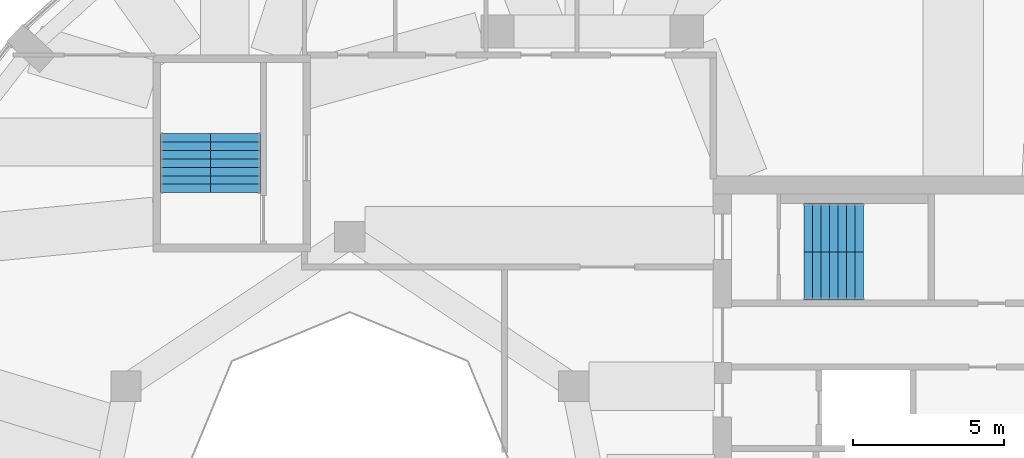
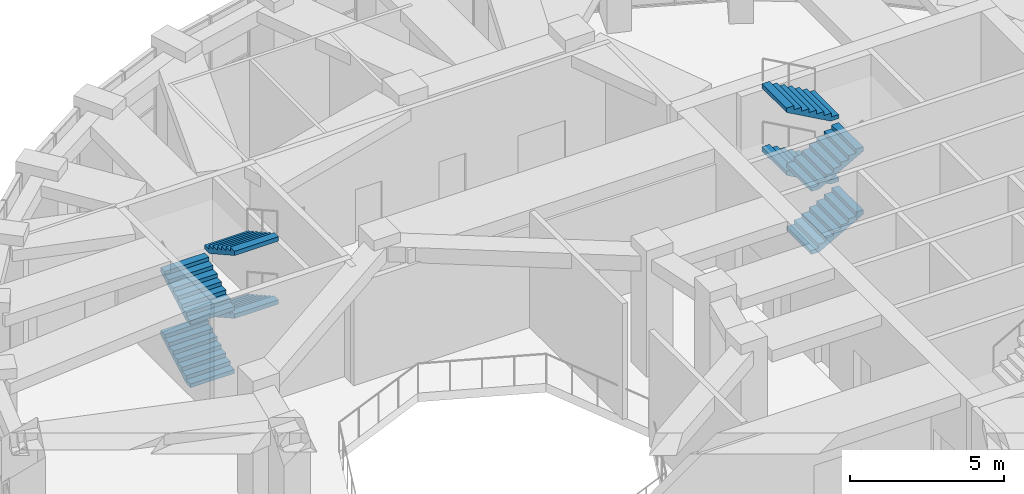
# One storey, part 15 of 16: 8 stair flights, 2 elements without a shape of their own.
"""IFC4 building model written with IfcOpenShell, lengths in metres."""

import ifcopenshell
import ifcopenshell.guid

model = None  # the IFC model being written
_history = None  # IfcOwnerHistory: only IFC2X3 demands one
_inside = {}  # id of a spatial element -> (the spatial element, [elements in it])
_under = {}  # id of a project, library or spatial element -> (it, [spatial elements below it])
_declared = {}  # id of a project -> (the project, [libraries it declares])
_typed = {}  # id of a type object -> (the type object, [elements of that type])
_made_of = {}  # id of a material, layer set ... -> (it, [elements and type objects made of it])


def new_model(schema):
    """Start an empty IFC model of exactly this schema.

    Asked for "IFC4X3", IfcOpenShell would pick the latest addendum, in which some entities
    have other attributes; the version numbers below select the first issue.
    IFC2X3 requires an IfcOwnerHistory on every rooted entity: one is made here for all.
    """
    global model, _history
    if schema == "IFC4X3":
        model = ifcopenshell.file(schema_version=(4, 3, 0, 0))
    else:
        model = ifcopenshell.file(schema=schema)
    _inside.clear()
    _under.clear()
    _declared.clear()
    _typed.clear()
    _made_of.clear()
    _history = None
    if model.schema == "IFC2X3":
        org = make("IfcOrganization", Name="unknown")
        user = make(
            "IfcPersonAndOrganization",
            ThePerson=make("IfcPerson", FamilyName="unknown"),
            TheOrganization=org,
        )
        app = make(
            "IfcApplication",
            ApplicationDeveloper=org,
            Version="unknown",
            ApplicationFullName="unknown",
            ApplicationIdentifier="unknown",
        )
        _history = make(
            "IfcOwnerHistory",
            OwningUser=user,
            OwningApplication=app,
            ChangeAction="ADDED",
            CreationDate=0,
        )
    return model


def make(cls, **values):
    """One entity of the class cls with the attributes given. An attribute that is None is left unset."""
    return model.create_entity(
        cls, **{name: value for name, value in values.items() if value is not None}
    )


def rooted(cls, **values):
    """An entity with a GlobalId (a new one), such as an element, a storey or a relation."""
    return make(cls, GlobalId=ifcopenshell.guid.new(), OwnerHistory=_history, **values)


def si_unit(unit_type, name, prefix=None):
    """IfcSIUnit, for example si_unit("LENGTHUNIT", "METRE", prefix="MILLI")."""
    return make("IfcSIUnit", UnitType=unit_type, Prefix=prefix, Name=name)


def assignment(units):
    """IfcUnitAssignment: the units of a project."""
    return None if units is None else make("IfcUnitAssignment", Units=units)


def point(xyz):
    """IfcCartesianPoint."""
    return None if xyz is None else make("IfcCartesianPoint", Coordinates=xyz)


def direction(xyz):
    """IfcDirection."""
    return None if xyz is None else make("IfcDirection", DirectionRatios=xyz)


def frame(location, z_axis=None, x_axis=None):
    """IfcAxis2Placement3D, a coordinate frame: its origin and axes. An axis left out is left unset."""
    return make(
        "IfcAxis2Placement3D",
        Location=point(location),
        Axis=direction(z_axis),
        RefDirection=direction(x_axis),
    )


def origin():
    """The frame at (0, 0, 0) with its axes left unset."""
    return frame((0.0, 0.0, 0.0))


def place(relative_to, where):
    """IfcLocalPlacement: puts the frame where relative to a parent placement (None: the world)."""
    return make(
        "IfcLocalPlacement", PlacementRelTo=relative_to, RelativePlacement=where
    )


def context(
    kind, dimensions, precision=None, world=None, true_north=None, identifier=None
):
    """IfcGeometricRepresentationContext, for example the 3D "Model" context."""
    return make(
        "IfcGeometricRepresentationContext",
        ContextIdentifier=identifier,
        ContextType=kind,
        CoordinateSpaceDimension=dimensions,
        Precision=precision,
        WorldCoordinateSystem=world,
        TrueNorth=true_north,
    )


def subcontext(parent, identifier, kind, view, scale=None):
    """IfcGeometricRepresentationSubContext, for example "Body" below "Model"."""
    return make(
        "IfcGeometricRepresentationSubContext",
        ContextIdentifier=identifier,
        ContextType=kind,
        ParentContext=parent,
        TargetScale=scale,
        TargetView=view,
    )


def project(units=None, contexts=None):
    """IfcProject with its units and contexts."""
    return rooted(
        "IfcProject",
        Name="project",
        RepresentationContexts=contexts,
        UnitsInContext=assignment(units),
    )


def spatial(cls, under=None, at=None, **own):
    """A site, building, storey or space (cls), placed at a placement, below another one or the project."""
    s = rooted(cls, ObjectPlacement=at, **own)
    if under is not None:
        _under.setdefault(under.id(), (under, []))[1].append(s)
    return s


def polyline(points):
    """IfcPolyline through the points."""
    return make("IfcPolyline", Points=[point(p) for p in points])


def outline(outer, holes=None, kind="AREA"):
    """IfcArbitraryClosedProfileDef: a profile drawn as a closed curve; with holes, ...WithVoids."""
    if holes is None:
        return make("IfcArbitraryClosedProfileDef", ProfileType=kind, OuterCurve=outer)
    return make(
        "IfcArbitraryProfileDefWithVoids",
        ProfileType=kind,
        OuterCurve=outer,
        InnerCurves=holes,
    )


def extrude(swept, where, along, depth):
    """IfcExtrudedAreaSolid: the profile swept, set in the frame where, extruded along a direction by depth."""
    return make(
        "IfcExtrudedAreaSolid",
        SweptArea=swept,
        Position=where,
        ExtrudedDirection=direction(along),
        Depth=depth,
    )


def shape(context_of_items, identifier, shape_type, items):
    """IfcShapeRepresentation: the items that make up one representation, for example the "Body"."""
    return make(
        "IfcShapeRepresentation",
        ContextOfItems=context_of_items,
        RepresentationIdentifier=identifier,
        RepresentationType=shape_type,
        Items=items,
    )


def material(Name=None, Category=None):
    """IfcMaterial."""
    return make("IfcMaterial", Name=Name, Category=Category)


def made_of(thing, what):
    """Note that an element or type object is made of a material, layer set ...; save() writes the relation."""
    if what is not None:
        _made_of.setdefault(what.id(), (what, []))[1].append(thing)
    return thing


def type_object(cls, material=None, **own):
    """A type object (cls), such as IfcWallType, which elements share."""
    return made_of(rooted(cls, **own), material)


def element(
    cls,
    number,
    at=None,
    inside=None,
    cuts=None,
    type_object=None,
    material=None,
    context=None,
    identifier="Body",
    shape_type=None,
    held_by="IfcProductDefinitionShape",
    body=None,
    shapes=None,
    **own,
):
    """One element of the class cls, such as IfcWall. Its Tag is "e" and its number.

    at: its placement. inside: the storey or other place that contains it. cuts: it is an
    opening in that element (IfcRelVoidsElement). A single representation is given by context,
    identifier, shape_type and body (its items); several are given by shapes. held_by: the class
    of the entity that holds the representations. save() writes the other relations.
    """
    e = rooted(cls, Tag="e%d" % number, ObjectPlacement=at, **own)
    if body is not None:
        shapes = [shape(context, identifier, shape_type, body)]
    if shapes is not None:
        e.Representation = make(held_by, Representations=shapes)
    if inside is not None:
        _inside.setdefault(inside.id(), (inside, []))[1].append(e)
    if cuts is not None:
        rooted(
            "IfcRelVoidsElement", RelatingBuildingElement=cuts, RelatedOpeningElement=e
        )
    if type_object is not None:
        _typed.setdefault(type_object.id(), (type_object, []))[1].append(e)
    return made_of(e, material)


def aggregate(whole, parts):
    """IfcRelAggregates: a whole, such as a stair, and the parts it consists of."""
    return rooted("IfcRelAggregates", RelatingObject=whole, RelatedObjects=parts)


def save(model, path):
    """Write the relations noted so far, then the file.

    IfcRelAggregates (storeys below a building ...), IfcRelContainedInSpatialStructure (elements
    in a storey), IfcRelDefinesByType, IfcRelAssociatesMaterial and IfcRelDeclares: one each for
    every whole, place, type object, material and project.
    """
    for whole, parts in _under.values():
        aggregate(whole, parts)
    for where, things in _inside.values():
        rooted(
            "IfcRelContainedInSpatialStructure",
            RelatedElements=things,
            RelatingStructure=where,
        )
    for kind, things in _typed.values():
        rooted("IfcRelDefinesByType", RelatedObjects=things, RelatingType=kind)
    for what, things in _made_of.values():
        rooted("IfcRelAssociatesMaterial", RelatedObjects=things, RelatingMaterial=what)
    for by, libraries in _declared.values():
        rooted("IfcRelDeclares", RelatingContext=by, RelatedDefinitions=libraries)
    model.write(path)


model = new_model("IFC4")

# Units and contexts
model_context = context("Model", 3, precision=1e-05, world=origin(), true_north=direction((0.0, 1.0)))
body_context = subcontext(model_context, "Body", "Model", "MODEL_VIEW")
ifc_project = project(units=[si_unit("LENGTHUNIT", "METRE"), si_unit("AREAUNIT", "SQUARE_METRE"), si_unit("VOLUMEUNIT", "CUBIC_METRE"), si_unit("PLANEANGLEUNIT", "RADIAN"), si_unit("MASSUNIT", "GRAM", prefix="KILO")], contexts=[model_context])

# Site, building, storey
site_placement = place(None, origin())
site = spatial("IfcSite", under=ifc_project, at=site_placement, CompositionType="ELEMENT")
building_placement = place(site_placement, origin())
building = spatial("IfcBuilding", under=site, at=building_placement, Name="Taillehof Tower", CompositionType="ELEMENT")
storey_placement = place(building_placement, frame((0.0, 0.0, 264.199951171875)))
storey = spatial("IfcBuildingStorey", under=building, at=storey_placement, Name="L75", CompositionType="ELEMENT", Elevation=264.199951171875)

# Stair, stair flights
ifc_material_1 = material(Name="Concrete C40/50", Category="concrete")
stair_type = type_object("IfcStairType", Name="Exit stair half-turn", PredefinedType="HALF_TURN_STAIR", material=ifc_material_1)
stair_1_placement = place(storey_placement, origin())
stair_1 = element("IfcStair", 1, at=stair_1_placement, inside=storey, type_object=stair_type, Name="Exit stair S1", PredefinedType="HALF_TURN_STAIR")
ifc_material_2 = material(Name="Concrete C40/50", Category="concrete")
stair_flight_type_1 = type_object("IfcStairFlightType", Name="Stair flight 1600 riser 156.2 going 280", PredefinedType="STRAIGHT", material=ifc_material_2)
stair_flight_1_placement = place(storey_placement, frame((7.0, 6.699951171875, 0.0), z_axis=(0.0, 0.0, 1.0), x_axis=(1.0, 0.0, 0.0)))
stair_flight_1 = element("IfcStairFlight", 2, at=stair_flight_1_placement, type_object=stair_flight_type_1, Name="S1 flight 1", NumberOfRisers=8, NumberOfTreads=7, PredefinedType="STRAIGHT", RiserHeight=0.15625, TreadLength=0.28, context=body_context, shape_type="SweptSolid", body=[
    extrude(outline(polyline([(0.0, 0.0), (0.0, 0.00634765625), (0.0, 0.012451171875), (0.0, 0.018798828125), (0.0, 0.02490234375), (0.0, 0.03125), (0.0, 0.03759765625), (0.0, 0.043701171875), (0.0, 0.050048828125), (0.0, 0.05615234375), (0.0, 0.0625), (0.0, 0.06884765625), (0.0, 0.074951171875), (0.0, 0.081298828125), (0.0, 0.08740234375), (0.0, 0.09375), (0.0, 0.10009765625), (0.0, 0.106201171875), (0.0, 0.112548828125), (0.0, 0.11865234375), (0.0, 0.125), (0.0, 0.13134765625), (0.0, 0.137451171875), (0.0, 0.143798828125), (0.0, 0.14990234375), (0.0, 0.15625), (0.280029296875, 0.15625), (0.280029296875, 0.3125), (0.56005859375, 0.3125), (0.56005859375, 0.46875), (0.840087890625, 0.46875), (0.840087890625, 0.625), (1.1201171875, 0.625), (1.1201171875, 0.78125), (1.39990234375, 0.78125), (1.39990234375, 0.9375), (1.679931640625, 0.9375), (1.679931640625, 1.09375), (1.9599609375, 1.09375), (1.9599609375, 1.0869140625), (1.9599609375, 1.080078125), (1.9599609375, 1.0732421875), (1.9599609375, 1.066162109375), (1.9599609375, 1.059326171875), (1.9599609375, 1.052490234375), (1.9599609375, 1.045654296875), (1.9599609375, 1.038818359375), (1.9599609375, 1.031982421875), (1.9599609375, 1.025146484375), (1.9599609375, 1.018310546875), (1.9599609375, 1.01123046875), (1.9599609375, 1.00439453125), (1.9599609375, 0.99755859375), (1.9599609375, 0.99072265625), (1.9599609375, 0.98388671875), (1.9599609375, 0.97705078125), (1.9599609375, 0.97021484375), (1.9599609375, 0.96337890625), (1.9599609375, 0.956298828125), (1.9599609375, 0.949462890625), (1.9599609375, 0.942626953125), (1.9599609375, 0.935791015625), (1.9599609375, 0.928955078125), (1.9599609375, 0.922119140625), (0.3076171875, 0.0), (0.0, 0.0)])), frame((0.0, 0.800048828125, 0.0), z_axis=(0.0, -1.0, 0.0), x_axis=(1.0, 0.0, 0.0)), (0.0, 0.0, 1.0), 1.6),
])
stair_flight_2_placement = place(storey_placement, frame((8.9599609375, 8.300048828125, 1.25), z_axis=(0.0, 0.0, 1.0), x_axis=(-1.0, 0.0, 0.0)))
stair_flight_2 = element("IfcStairFlight", 3, at=stair_flight_2_placement, type_object=stair_flight_type_1, Name="S1 flight 2", NumberOfRisers=8, NumberOfTreads=7, PredefinedType="STRAIGHT", RiserHeight=0.15625, TreadLength=0.28, context=body_context, shape_type="SweptSolid", body=[
    extrude(outline(polyline([(0.0, 0.0), (0.0, 0.00634765625), (0.0, 0.012451171875), (0.0, 0.018798828125), (0.0, 0.02490234375), (0.0, 0.03125), (0.0, 0.03759765625), (0.0, 0.043701171875), (0.0, 0.050048828125), (0.0, 0.05615234375), (0.0, 0.0625), (0.0, 0.06884765625), (0.0, 0.074951171875), (0.0, 0.081298828125), (0.0, 0.08740234375), (0.0, 0.09375), (0.0, 0.10009765625), (0.0, 0.106201171875), (0.0, 0.112548828125), (0.0, 0.11865234375), (0.0, 0.125), (0.0, 0.13134765625), (0.0, 0.137451171875), (0.0, 0.143798828125), (0.0, 0.14990234375), (0.0, 0.15625), (0.280029296875, 0.15625), (0.280029296875, 0.3125), (0.56005859375, 0.3125), (0.56005859375, 0.46875), (0.840087890625, 0.46875), (0.840087890625, 0.625), (1.1201171875, 0.625), (1.1201171875, 0.78125), (1.39990234375, 0.78125), (1.39990234375, 0.9375), (1.679931640625, 0.9375), (1.679931640625, 1.09375), (1.9599609375, 1.09375), (1.9599609375, 1.0869140625), (1.9599609375, 1.080078125), (1.9599609375, 1.0732421875), (1.9599609375, 1.066162109375), (1.9599609375, 1.059326171875), (1.9599609375, 1.052490234375), (1.9599609375, 1.045654296875), (1.9599609375, 1.038818359375), (1.9599609375, 1.031982421875), (1.9599609375, 1.025146484375), (1.9599609375, 1.018310546875), (1.9599609375, 1.01123046875), (1.9599609375, 1.00439453125), (1.9599609375, 0.99755859375), (1.9599609375, 0.99072265625), (1.9599609375, 0.98388671875), (1.9599609375, 0.97705078125), (1.9599609375, 0.97021484375), (1.9599609375, 0.96337890625), (1.9599609375, 0.956298828125), (1.9599609375, 0.949462890625), (1.9599609375, 0.942626953125), (1.9599609375, 0.935791015625), (1.9599609375, 0.928955078125), (1.9599609375, 0.922119140625), (0.3076171875, 0.0), (0.0, 0.0)])), frame((0.0, 0.800048828125, 0.0), z_axis=(0.0, -1.0, 0.0), x_axis=(1.0, 0.0, 0.0)), (0.0, 0.0, 1.0), 1.6),
])
stair_flight_3_placement = place(storey_placement, frame((7.0, 6.699951171875, 2.5), z_axis=(0.0, 0.0, 1.0), x_axis=(1.0, 0.0, 0.0)))
stair_flight_3 = element("IfcStairFlight", 4, at=stair_flight_3_placement, type_object=stair_flight_type_1, Name="S1 flight 3", NumberOfRisers=8, NumberOfTreads=7, PredefinedType="STRAIGHT", RiserHeight=0.15625, TreadLength=0.28, context=body_context, shape_type="SweptSolid", body=[
    extrude(outline(polyline([(0.0, 0.0), (0.0, 0.00634765625), (0.0, 0.012451171875), (0.0, 0.018798828125), (0.0, 0.02490234375), (0.0, 0.03125), (0.0, 0.03759765625), (0.0, 0.043701171875), (0.0, 0.050048828125), (0.0, 0.05615234375), (0.0, 0.0625), (0.0, 0.06884765625), (0.0, 0.074951171875), (0.0, 0.081298828125), (0.0, 0.08740234375), (0.0, 0.09375), (0.0, 0.10009765625), (0.0, 0.106201171875), (0.0, 0.112548828125), (0.0, 0.11865234375), (0.0, 0.125), (0.0, 0.13134765625), (0.0, 0.137451171875), (0.0, 0.143798828125), (0.0, 0.14990234375), (0.0, 0.15625), (0.280029296875, 0.15625), (0.280029296875, 0.3125), (0.56005859375, 0.3125), (0.56005859375, 0.46875), (0.840087890625, 0.46875), (0.840087890625, 0.625), (1.1201171875, 0.625), (1.1201171875, 0.78125), (1.39990234375, 0.78125), (1.39990234375, 0.9375), (1.679931640625, 0.9375), (1.679931640625, 1.09375), (1.9599609375, 1.09375), (1.9599609375, 1.0869140625), (1.9599609375, 1.080078125), (1.9599609375, 1.0732421875), (1.9599609375, 1.066162109375), (1.9599609375, 1.059326171875), (1.9599609375, 1.052490234375), (1.9599609375, 1.045654296875), (1.9599609375, 1.038818359375), (1.9599609375, 1.031982421875), (1.9599609375, 1.025146484375), (1.9599609375, 1.018310546875), (1.9599609375, 1.01123046875), (1.9599609375, 1.00439453125), (1.9599609375, 0.99755859375), (1.9599609375, 0.99072265625), (1.9599609375, 0.98388671875), (1.9599609375, 0.97705078125), (1.9599609375, 0.97021484375), (1.9599609375, 0.96337890625), (1.9599609375, 0.956298828125), (1.9599609375, 0.949462890625), (1.9599609375, 0.942626953125), (1.9599609375, 0.935791015625), (1.9599609375, 0.928955078125), (1.9599609375, 0.922119140625), (0.3076171875, 0.0), (0.0, 0.0)])), frame((0.0, 0.800048828125, 0.0), z_axis=(0.0, -1.0, 0.0), x_axis=(1.0, 0.0, 0.0)), (0.0, 0.0, 1.0), 1.6),
])
stair_flight_4_placement = place(storey_placement, frame((8.9599609375, 8.300048828125, 3.75), z_axis=(0.0, 0.0, 1.0), x_axis=(-1.0, 0.0, 0.0)))
stair_flight_4 = element("IfcStairFlight", 5, at=stair_flight_4_placement, type_object=stair_flight_type_1, Name="S1 flight 4", NumberOfRisers=8, NumberOfTreads=7, PredefinedType="STRAIGHT", RiserHeight=0.15625, TreadLength=0.28, context=body_context, shape_type="SweptSolid", body=[
    extrude(outline(polyline([(0.0, 0.0), (0.0, 0.00634765625), (0.0, 0.012451171875), (0.0, 0.018798828125), (0.0, 0.02490234375), (0.0, 0.03125), (0.0, 0.03759765625), (0.0, 0.043701171875), (0.0, 0.050048828125), (0.0, 0.05615234375), (0.0, 0.0625), (0.0, 0.06884765625), (0.0, 0.074951171875), (0.0, 0.081298828125), (0.0, 0.08740234375), (0.0, 0.09375), (0.0, 0.10009765625), (0.0, 0.106201171875), (0.0, 0.112548828125), (0.0, 0.11865234375), (0.0, 0.125), (0.0, 0.13134765625), (0.0, 0.137451171875), (0.0, 0.143798828125), (0.0, 0.14990234375), (0.0, 0.15625), (0.280029296875, 0.15625), (0.280029296875, 0.3125), (0.56005859375, 0.3125), (0.56005859375, 0.46875), (0.840087890625, 0.46875), (0.840087890625, 0.625), (1.1201171875, 0.625), (1.1201171875, 0.78125), (1.39990234375, 0.78125), (1.39990234375, 0.9375), (1.679931640625, 0.9375), (1.679931640625, 1.09375), (1.9599609375, 1.09375), (1.9599609375, 1.0869140625), (1.9599609375, 1.080078125), (1.9599609375, 1.0732421875), (1.9599609375, 1.066162109375), (1.9599609375, 1.059326171875), (1.9599609375, 1.052490234375), (1.9599609375, 1.045654296875), (1.9599609375, 1.038818359375), (1.9599609375, 1.031982421875), (1.9599609375, 1.025146484375), (1.9599609375, 1.018310546875), (1.9599609375, 1.01123046875), (1.9599609375, 1.00439453125), (1.9599609375, 0.99755859375), (1.9599609375, 0.99072265625), (1.9599609375, 0.98388671875), (1.9599609375, 0.97705078125), (1.9599609375, 0.97021484375), (1.9599609375, 0.96337890625), (1.9599609375, 0.956298828125), (1.9599609375, 0.949462890625), (1.9599609375, 0.942626953125), (1.9599609375, 0.935791015625), (1.9599609375, 0.928955078125), (1.9599609375, 0.922119140625), (0.3076171875, 0.0), (0.0, 0.0)])), frame((0.0, 0.800048828125, 0.0), z_axis=(0.0, -1.0, 0.0), x_axis=(1.0, 0.0, 0.0)), (0.0, 0.0, 1.0), 1.6),
])
aggregate(stair_1, [stair_flight_1, stair_flight_2, stair_flight_3, stair_flight_4])

stair_2_placement = place(storey_placement, origin())
stair_2 = element("IfcStair", 6, at=stair_2_placement, inside=storey, type_object=stair_type, Name="Exit stair S3", PredefinedType="HALF_TURN_STAIR")
ifc_material_3 = material(Name="Concrete C40/50", Category="concrete")
stair_flight_type_2 = type_object("IfcStairFlightType", Name="Stair flight 1650 riser 156.2 going 280", PredefinedType="STRAIGHT", material=ifc_material_3)
stair_flight_5_placement = place(storey_placement, frame((-13.425048828125, 9.449951171875, 0.0), z_axis=(0.0, 0.0, 1.0), x_axis=(0.0, 1.0, 0.0)))
stair_flight_5 = element("IfcStairFlight", 7, at=stair_flight_5_placement, type_object=stair_flight_type_2, Name="S3 flight 1", NumberOfRisers=8, NumberOfTreads=7, PredefinedType="STRAIGHT", RiserHeight=0.15625, TreadLength=0.28, context=body_context, shape_type="SweptSolid", body=[
    extrude(outline(polyline([(0.0, 0.0), (0.0, 0.00634765625), (0.0, 0.012451171875), (0.0, 0.018798828125), (0.0, 0.02490234375), (0.0, 0.03125), (0.0, 0.03759765625), (0.0, 0.043701171875), (0.0, 0.050048828125), (0.0, 0.05615234375), (0.0, 0.0625), (0.0, 0.06884765625), (0.0, 0.074951171875), (0.0, 0.081298828125), (0.0, 0.08740234375), (0.0, 0.09375), (0.0, 0.10009765625), (0.0, 0.106201171875), (0.0, 0.112548828125), (0.0, 0.11865234375), (0.0, 0.125), (0.0, 0.13134765625), (0.0, 0.137451171875), (0.0, 0.143798828125), (0.0, 0.14990234375), (0.0, 0.15625), (0.280029296875, 0.15625), (0.280029296875, 0.3125), (0.56005859375, 0.3125), (0.56005859375, 0.46875), (0.840087890625, 0.46875), (0.840087890625, 0.625), (1.1201171875, 0.625), (1.1201171875, 0.78125), (1.39990234375, 0.78125), (1.39990234375, 0.9375), (1.679931640625, 0.9375), (1.679931640625, 1.09375), (1.9599609375, 1.09375), (1.9599609375, 1.0869140625), (1.9599609375, 1.080078125), (1.9599609375, 1.0732421875), (1.9599609375, 1.066162109375), (1.9599609375, 1.059326171875), (1.9599609375, 1.052490234375), (1.9599609375, 1.045654296875), (1.9599609375, 1.038818359375), (1.9599609375, 1.031982421875), (1.9599609375, 1.025146484375), (1.9599609375, 1.018310546875), (1.9599609375, 1.01123046875), (1.9599609375, 1.00439453125), (1.9599609375, 0.99755859375), (1.9599609375, 0.99072265625), (1.9599609375, 0.98388671875), (1.9599609375, 0.97705078125), (1.9599609375, 0.97021484375), (1.9599609375, 0.96337890625), (1.9599609375, 0.956298828125), (1.9599609375, 0.949462890625), (1.9599609375, 0.942626953125), (1.9599609375, 0.935791015625), (1.9599609375, 0.928955078125), (1.9599609375, 0.922119140625), (0.3076171875, 0.0), (0.0, 0.0)])), frame((0.0, 0.824951171875, 0.0), z_axis=(0.0, -1.0, 0.0), x_axis=(1.0, 0.0, 0.0)), (0.0, 0.0, 1.0), 1.65),
])
stair_flight_6_placement = place(storey_placement, frame((-11.77490234375, 11.409912109375, 1.25), z_axis=(0.0, 0.0, 1.0), x_axis=(0.0, -1.0, 0.0)))
stair_flight_6 = element("IfcStairFlight", 8, at=stair_flight_6_placement, type_object=stair_flight_type_2, Name="S3 flight 2", NumberOfRisers=8, NumberOfTreads=7, PredefinedType="STRAIGHT", RiserHeight=0.15625, TreadLength=0.28, context=body_context, shape_type="SweptSolid", body=[
    extrude(outline(polyline([(0.0, 0.0), (0.0, 0.00634765625), (0.0, 0.012451171875), (0.0, 0.018798828125), (0.0, 0.02490234375), (0.0, 0.03125), (0.0, 0.03759765625), (0.0, 0.043701171875), (0.0, 0.050048828125), (0.0, 0.05615234375), (0.0, 0.0625), (0.0, 0.06884765625), (0.0, 0.074951171875), (0.0, 0.081298828125), (0.0, 0.08740234375), (0.0, 0.09375), (0.0, 0.10009765625), (0.0, 0.106201171875), (0.0, 0.112548828125), (0.0, 0.11865234375), (0.0, 0.125), (0.0, 0.13134765625), (0.0, 0.137451171875), (0.0, 0.143798828125), (0.0, 0.14990234375), (0.0, 0.15625), (0.280029296875, 0.15625), (0.280029296875, 0.3125), (0.56005859375, 0.3125), (0.56005859375, 0.46875), (0.840087890625, 0.46875), (0.840087890625, 0.625), (1.1201171875, 0.625), (1.1201171875, 0.78125), (1.39990234375, 0.78125), (1.39990234375, 0.9375), (1.679931640625, 0.9375), (1.679931640625, 1.09375), (1.9599609375, 1.09375), (1.9599609375, 1.0869140625), (1.9599609375, 1.080078125), (1.9599609375, 1.0732421875), (1.9599609375, 1.066162109375), (1.9599609375, 1.059326171875), (1.9599609375, 1.052490234375), (1.9599609375, 1.045654296875), (1.9599609375, 1.038818359375), (1.9599609375, 1.031982421875), (1.9599609375, 1.025146484375), (1.9599609375, 1.018310546875), (1.9599609375, 1.01123046875), (1.9599609375, 1.00439453125), (1.9599609375, 0.99755859375), (1.9599609375, 0.99072265625), (1.9599609375, 0.98388671875), (1.9599609375, 0.97705078125), (1.9599609375, 0.97021484375), (1.9599609375, 0.96337890625), (1.9599609375, 0.956298828125), (1.9599609375, 0.949462890625), (1.9599609375, 0.942626953125), (1.9599609375, 0.935791015625), (1.9599609375, 0.928955078125), (1.9599609375, 0.922119140625), (0.3076171875, 0.0), (0.0, 0.0)])), frame((0.0, 0.824951171875, 0.0), z_axis=(0.0, -1.0, 0.0), x_axis=(1.0, 0.0, 0.0)), (0.0, 0.0, 1.0), 1.65),
])
stair_flight_7_placement = place(storey_placement, frame((-13.425048828125, 9.449951171875, 2.5), z_axis=(0.0, 0.0, 1.0), x_axis=(0.0, 1.0, 0.0)))
stair_flight_7 = element("IfcStairFlight", 9, at=stair_flight_7_placement, type_object=stair_flight_type_2, Name="S3 flight 3", NumberOfRisers=8, NumberOfTreads=7, PredefinedType="STRAIGHT", RiserHeight=0.15625, TreadLength=0.28, context=body_context, shape_type="SweptSolid", body=[
    extrude(outline(polyline([(0.0, 0.0), (0.0, 0.00634765625), (0.0, 0.012451171875), (0.0, 0.018798828125), (0.0, 0.02490234375), (0.0, 0.03125), (0.0, 0.03759765625), (0.0, 0.043701171875), (0.0, 0.050048828125), (0.0, 0.05615234375), (0.0, 0.0625), (0.0, 0.06884765625), (0.0, 0.074951171875), (0.0, 0.081298828125), (0.0, 0.08740234375), (0.0, 0.09375), (0.0, 0.10009765625), (0.0, 0.106201171875), (0.0, 0.112548828125), (0.0, 0.11865234375), (0.0, 0.125), (0.0, 0.13134765625), (0.0, 0.137451171875), (0.0, 0.143798828125), (0.0, 0.14990234375), (0.0, 0.15625), (0.280029296875, 0.15625), (0.280029296875, 0.3125), (0.56005859375, 0.3125), (0.56005859375, 0.46875), (0.840087890625, 0.46875), (0.840087890625, 0.625), (1.1201171875, 0.625), (1.1201171875, 0.78125), (1.39990234375, 0.78125), (1.39990234375, 0.9375), (1.679931640625, 0.9375), (1.679931640625, 1.09375), (1.9599609375, 1.09375), (1.9599609375, 1.0869140625), (1.9599609375, 1.080078125), (1.9599609375, 1.0732421875), (1.9599609375, 1.066162109375), (1.9599609375, 1.059326171875), (1.9599609375, 1.052490234375), (1.9599609375, 1.045654296875), (1.9599609375, 1.038818359375), (1.9599609375, 1.031982421875), (1.9599609375, 1.025146484375), (1.9599609375, 1.018310546875), (1.9599609375, 1.01123046875), (1.9599609375, 1.00439453125), (1.9599609375, 0.99755859375), (1.9599609375, 0.99072265625), (1.9599609375, 0.98388671875), (1.9599609375, 0.97705078125), (1.9599609375, 0.97021484375), (1.9599609375, 0.96337890625), (1.9599609375, 0.956298828125), (1.9599609375, 0.949462890625), (1.9599609375, 0.942626953125), (1.9599609375, 0.935791015625), (1.9599609375, 0.928955078125), (1.9599609375, 0.922119140625), (0.3076171875, 0.0), (0.0, 0.0)])), frame((0.0, 0.824951171875, 0.0), z_axis=(0.0, -1.0, 0.0), x_axis=(1.0, 0.0, 0.0)), (0.0, 0.0, 1.0), 1.65),
])
stair_flight_8_placement = place(storey_placement, frame((-11.77490234375, 11.409912109375, 3.75), z_axis=(0.0, 0.0, 1.0), x_axis=(0.0, -1.0, 0.0)))
stair_flight_8 = element("IfcStairFlight", 10, at=stair_flight_8_placement, type_object=stair_flight_type_2, Name="S3 flight 4", NumberOfRisers=8, NumberOfTreads=7, PredefinedType="STRAIGHT", RiserHeight=0.15625, TreadLength=0.28, context=body_context, shape_type="SweptSolid", body=[
    extrude(outline(polyline([(0.0, 0.0), (0.0, 0.00634765625), (0.0, 0.012451171875), (0.0, 0.018798828125), (0.0, 0.02490234375), (0.0, 0.03125), (0.0, 0.03759765625), (0.0, 0.043701171875), (0.0, 0.050048828125), (0.0, 0.05615234375), (0.0, 0.0625), (0.0, 0.06884765625), (0.0, 0.074951171875), (0.0, 0.081298828125), (0.0, 0.08740234375), (0.0, 0.09375), (0.0, 0.10009765625), (0.0, 0.106201171875), (0.0, 0.112548828125), (0.0, 0.11865234375), (0.0, 0.125), (0.0, 0.13134765625), (0.0, 0.137451171875), (0.0, 0.143798828125), (0.0, 0.14990234375), (0.0, 0.15625), (0.280029296875, 0.15625), (0.280029296875, 0.3125), (0.56005859375, 0.3125), (0.56005859375, 0.46875), (0.840087890625, 0.46875), (0.840087890625, 0.625), (1.1201171875, 0.625), (1.1201171875, 0.78125), (1.39990234375, 0.78125), (1.39990234375, 0.9375), (1.679931640625, 0.9375), (1.679931640625, 1.09375), (1.9599609375, 1.09375), (1.9599609375, 1.0869140625), (1.9599609375, 1.080078125), (1.9599609375, 1.0732421875), (1.9599609375, 1.066162109375), (1.9599609375, 1.059326171875), (1.9599609375, 1.052490234375), (1.9599609375, 1.045654296875), (1.9599609375, 1.038818359375), (1.9599609375, 1.031982421875), (1.9599609375, 1.025146484375), (1.9599609375, 1.018310546875), (1.9599609375, 1.01123046875), (1.9599609375, 1.00439453125), (1.9599609375, 0.99755859375), (1.9599609375, 0.99072265625), (1.9599609375, 0.98388671875), (1.9599609375, 0.97705078125), (1.9599609375, 0.97021484375), (1.9599609375, 0.96337890625), (1.9599609375, 0.956298828125), (1.9599609375, 0.949462890625), (1.9599609375, 0.942626953125), (1.9599609375, 0.935791015625), (1.9599609375, 0.928955078125), (1.9599609375, 0.922119140625), (0.3076171875, 0.0), (0.0, 0.0)])), frame((0.0, 0.824951171875, 0.0), z_axis=(0.0, -1.0, 0.0), x_axis=(1.0, 0.0, 0.0)), (0.0, 0.0, 1.0), 1.65),
])
aggregate(stair_2, [stair_flight_5, stair_flight_6, stair_flight_7, stair_flight_8])

save(model, "model.ifc")
